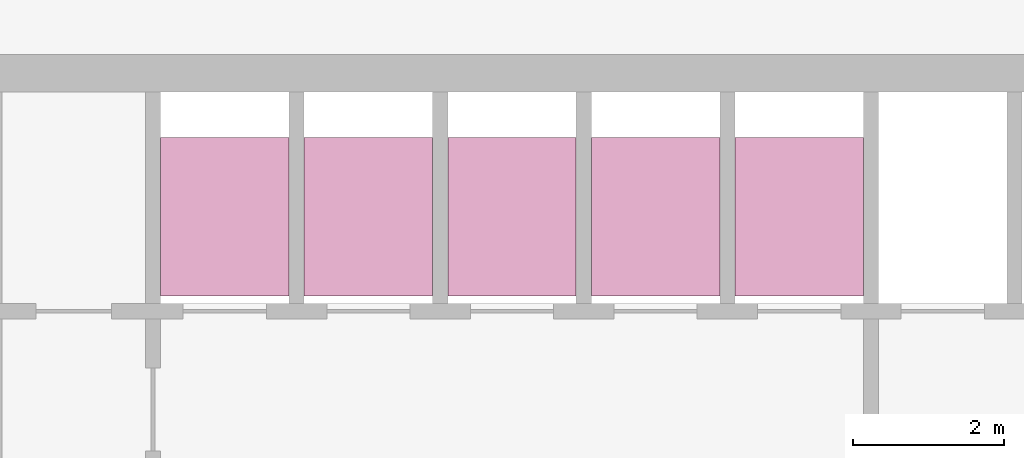
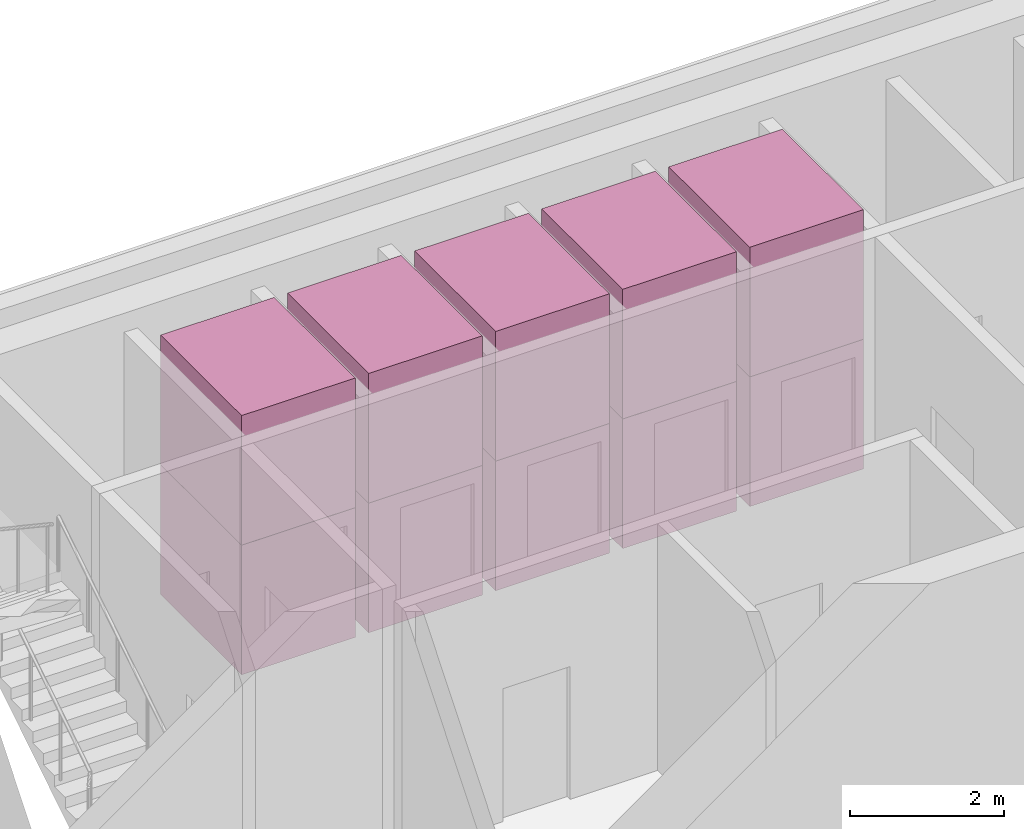
# One storey, part 8 of 8: 10 transport elements.
"""IFC4 building model written with IfcOpenShell, lengths in metres."""

from ifc_helpers import new_model, si_unit, direction, frame, origin, origin_2d, place, context, subcontext, project, spatial, rectangle, extrude, material, type_object, element, save


model = new_model("IFC4")

# Units and contexts
model_context = context("Model", 3, precision=1e-05, world=origin(), true_north=direction((0.0, 1.0)))
body_context = subcontext(model_context, "Body", "Model", "MODEL_VIEW")
ifc_project = project(units=[si_unit("LENGTHUNIT", "METRE"), si_unit("AREAUNIT", "SQUARE_METRE"), si_unit("VOLUMEUNIT", "CUBIC_METRE"), si_unit("PLANEANGLEUNIT", "RADIAN"), si_unit("MASSUNIT", "GRAM", prefix="KILO")], contexts=[model_context])

# Site, building, storey
site_placement = place(None, origin())
site = spatial("IfcSite", under=ifc_project, at=site_placement, CompositionType="ELEMENT")
building_placement = place(site_placement, origin())
building = spatial("IfcBuilding", under=site, at=building_placement, Name="Altiplano Prism Tower", CompositionType="ELEMENT")
storey_placement = place(building_placement, frame((0.0, 0.0, 338.800048828125)))
storey = spatial("IfcBuildingStorey", under=building, at=storey_placement, Name="L88", CompositionType="ELEMENT", Elevation=338.800048828125)

# Transport elements
ifc_material = material(Name="Stainless steel lift car", Category="steel")
transport_element_type = type_object("IfcTransportElementType", Name="Passenger lift car 1600 x 2100", PredefinedType="ELEVATOR", material=ifc_material)
for number, where, z_axis, x_axis, name in (
    (1, (79.050048828125, 101.75, 0.0498046875), (0.0, 0.0, 1.0), (1.0, 0.0, 0.0), "High Zone Passenger Lift 1"),
    (2, (79.050048828125, 101.75, 2.10009765625), (0.0, 0.0, 1.0), (1.0, 0.0, 0.0), "High Zone Passenger Lift 1"),
    (3, (80.949951171875, 101.75, 0.0498046875), (0.0, 0.0, 1.0), (1.0, 0.0, 0.0), "High Zone Passenger Lift 2"),
    (4, (80.949951171875, 101.75, 2.10009765625), (0.0, 0.0, 1.0), (1.0, 0.0, 0.0), "High Zone Passenger Lift 2"),
    (5, (82.85009765625, 101.75, 0.0498046875), (0.0, 0.0, 1.0), (1.0, 0.0, 0.0), "High Zone Passenger Lift 3"),
    (6, (82.85009765625, 101.75, 2.10009765625), (0.0, 0.0, 1.0), (1.0, 0.0, 0.0), "High Zone Passenger Lift 3"),
    (7, (84.75, 101.75, 0.0498046875), (0.0, 0.0, 1.0), (1.0, 0.0, 0.0), "High Zone Passenger Lift 4"),
    (8, (84.75, 101.75, 2.10009765625), (0.0, 0.0, 1.0), (1.0, 0.0, 0.0), "High Zone Passenger Lift 4"),
    (9, (86.64990234375, 101.75, 0.0498046875), (0.0, 0.0, 1.0), (1.0, 0.0, 0.0), "High Zone Passenger Lift 5"),
    (10, (86.64990234375, 101.75, 2.10009765625), (0.0, 0.0, 1.0), (1.0, 0.0, 0.0), "High Zone Passenger Lift 5"),
):
    element("IfcTransportElement", number, at=place(storey_placement, frame(where, z_axis=z_axis, x_axis=x_axis)), inside=storey, type_object=transport_element_type, Name=name, PredefinedType="ELEVATOR", context=body_context, shape_type="SweptSolid", body=[
        extrude(rectangle(XDim=1.699951171875, YDim=2.10009765625, at=origin_2d()), origin(), (0.0, 0.0, 1.0), 2.050048828125),
    ])

save(model, "model.ifc")
